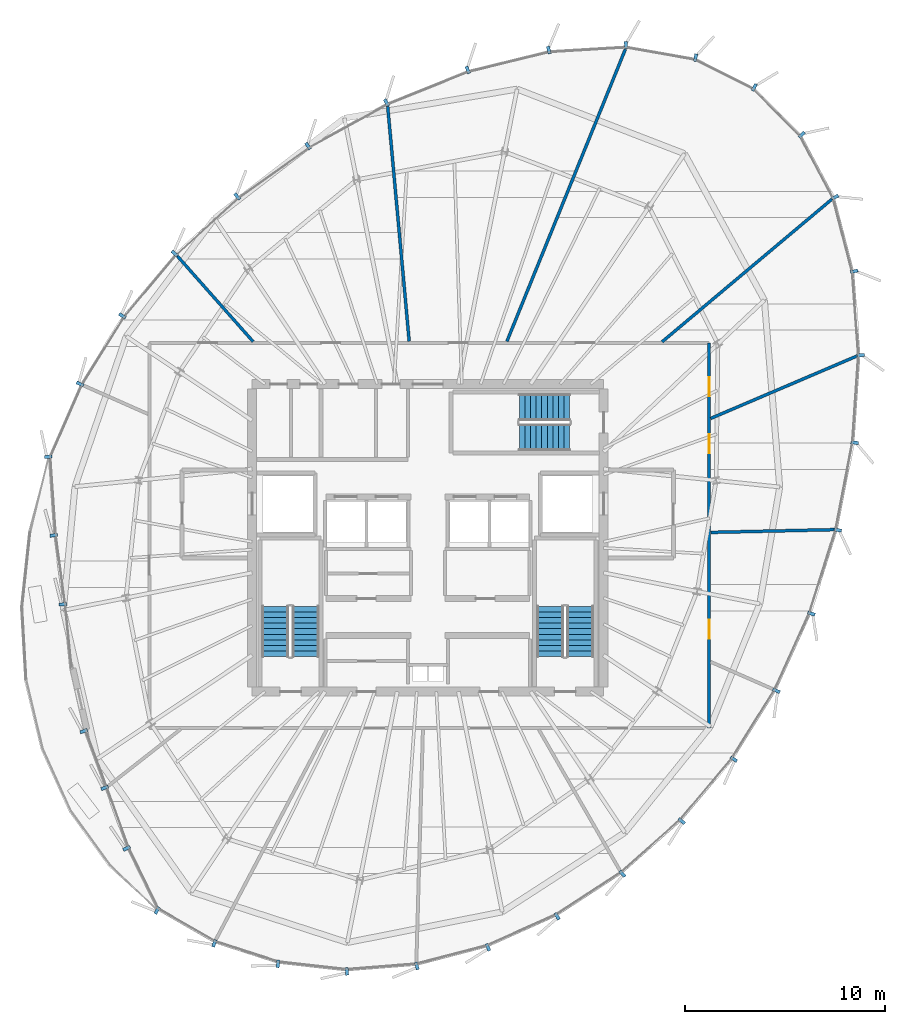
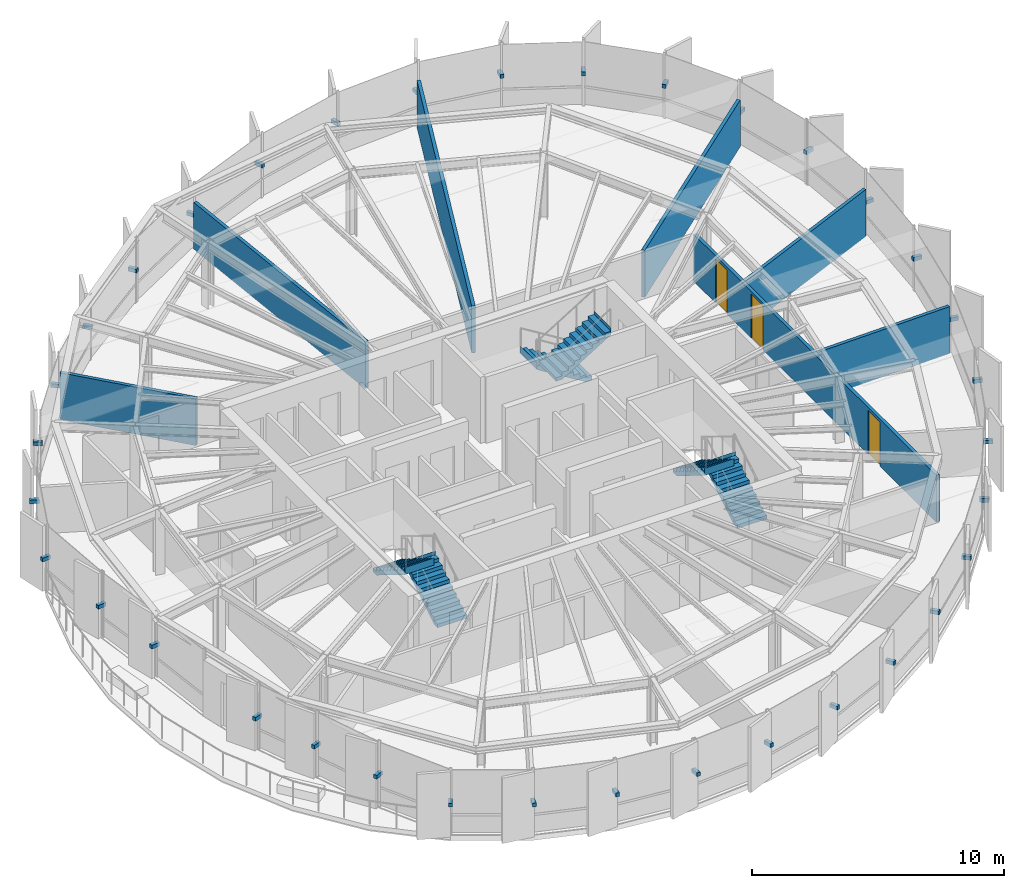
# One storey, part 28 of 32: 35 discrete accessories, 7 walls, 6 stair flights, 3 doors, 3 openings, 3 elements without a shape of their own.
"""IFC4 building model written with IfcOpenShell, lengths in metres."""

from ifc_helpers import new_model, si_unit, direction, frame, frame_2d, origin, origin_2d, place, context, subcontext, project, spatial, polyline, rectangle, outline, extrude, source, transform, mapped, material, layer, layer_set, type_object, element, fill, aggregate, save


model = new_model("IFC4")

# Units and contexts
model_context = context("Model", 3, precision=1e-05, world=origin(), true_north=direction((0.0, 1.0)))
body_context = subcontext(model_context, "Body", "Model", "MODEL_VIEW")
ifc_project = project(units=[si_unit("LENGTHUNIT", "METRE"), si_unit("AREAUNIT", "SQUARE_METRE"), si_unit("VOLUMEUNIT", "CUBIC_METRE"), si_unit("PLANEANGLEUNIT", "RADIAN"), si_unit("MASSUNIT", "GRAM", prefix="KILO"), si_unit("THERMODYNAMICTEMPERATUREUNIT", "KELVIN")], contexts=[model_context])

# Site, building, storey
site_placement = place(None, origin())
site = spatial("IfcSite", under=ifc_project, at=site_placement, CompositionType="ELEMENT")
building_placement = place(site_placement, origin())
building = spatial("IfcBuilding", under=site, at=building_placement, Name="Kethvar Cultural Tower", CompositionType="ELEMENT")
storey_placement = place(building_placement, frame((0.0, 0.0, 252.550048828125)))
storey = spatial("IfcBuildingStorey", under=building, at=storey_placement, Name="L66", CompositionType="ELEMENT", Elevation=252.550048828125)

# Wall, openings, doors
ifc_material_1 = material(Name="Gypsum Fireboard Partition")
ifc_layer_1 = layer(ifc_material_1, 0.14990234375, Name="Gypsum Fireboard Partition")
ifc_layer_set_1 = layer_set([ifc_layer_1], Name="Gypsum Fireboard Partition (150 mm)")
wall_type_1 = type_object("IfcWallType", Name="WL-FIRE-150", PredefinedType="PARTITIONING", material=ifc_layer_set_1)
wall_1_placement = place(storey_placement, frame((60.887939453125, 18.26904296875, 0.0), z_axis=(0.0, 0.0, 1.0), x_axis=(0.0, 1.0, 0.0)))
wall_1 = element("IfcWall", 1, at=wall_1_placement, inside=storey, type_object=wall_type_1, Name="L66 Corridor Rated Wall E", PredefinedType="PARTITIONING", context=body_context, shape_type="SweptSolid", body=[
    extrude(rectangle(XDim=19.29296875, YDim=0.14990234375, at=frame_2d((9.646484375, 0.0))), origin(), (0.0, 0.0, 1.0), 2.280029296875),
])
opening_1_placement = place(wall_1_placement, frame((4.48779296875, 0.0, 0.0)))
opening_1 = element("IfcOpeningElement", 2, at=opening_1_placement, cuts=wall_1, Name="Opening D-L66-05", PredefinedType="OPENING", context=body_context, shape_type="SweptSolid", body=[
    extrude(rectangle(XDim=0.949951171875, YDim=2.14990234375, at=frame_2d((0.47509765625, 1.074951171875))), frame((0.0, 0.0849609375, 0.0), z_axis=(0.0, -1.0, 0.0), x_axis=(1.0, 0.0, 0.0)), (0.0, 0.0, 1.0), 0.169921875),
])
opening_2_placement = place(wall_1_placement, frame((13.775634765625, 0.0, 0.0)))
opening_2 = element("IfcOpeningElement", 3, at=opening_2_placement, cuts=wall_1, Name="Opening D-L66-06", PredefinedType="OPENING", context=body_context, shape_type="SweptSolid", body=[
    extrude(rectangle(XDim=0.949951171875, YDim=2.14990234375, at=frame_2d((0.47509765625, 1.074951171875))), frame((0.0, 0.0849609375, 0.0), z_axis=(0.0, -1.0, 0.0), x_axis=(1.0, 0.0, 0.0)), (0.0, 0.0, 1.0), 0.169921875),
])
opening_3_placement = place(wall_1_placement, frame((16.6201171875, 0.0, 0.0)))
opening_3 = element("IfcOpeningElement", 4, at=opening_3_placement, cuts=wall_1, Name="Opening D-L66-07", PredefinedType="OPENING", context=body_context, shape_type="SweptSolid", body=[
    extrude(rectangle(XDim=0.949951171875, YDim=2.14990234375, at=frame_2d((0.47509765625, 1.074951171875))), frame((0.0, 0.0849609375, 0.0), z_axis=(0.0, -1.0, 0.0), x_axis=(1.0, 0.0, 0.0)), (0.0, 0.0, 1.0), 0.169921875),
])
ifc_material_2 = material(Name="Architectural Oak Timber", Category="wood")
door_type = type_object("IfcDoorType", Name="DR-FD30-950", OperationType="NOTDEFINED", PredefinedType="DOOR", material=ifc_material_2)
shared_shape_1 = source(origin(), body_context, "Body", "SweptSolid", [
    extrude(rectangle(XDim=0.949951171875, YDim=2.14990234375, at=frame_2d((0.47509765625, 1.074951171875))), frame((0.0, 0.02490234375, 0.0), z_axis=(0.0, -1.0, 0.0), x_axis=(1.0, 0.0, 0.0)), (0.0, 0.0, 1.0), 0.050048828125),
])
door_1_placement = place(opening_1_placement, origin())
door_1 = element("IfcDoor", 5, at=door_1_placement, inside=storey, type_object=door_type, Name="L66 Members' Dining Lounge 05 Door", OperationType="SINGLE_SWING_LEFT", OverallHeight=2.14990234375, OverallWidth=0.949951171875, PredefinedType="DOOR", context=body_context, shape_type="MappedRepresentation", body=[
    mapped(shared_shape_1, transform((0.0, 0.0, 0.0), scale=1.0)),
])
fill(opening_1, door_1)
door_2_placement = place(opening_2_placement, origin())
door_2 = element("IfcDoor", 6, at=door_2_placement, inside=storey, type_object=door_type, Name="L66 Archival Mail Room 06 Door", OperationType="SINGLE_SWING_RIGHT", OverallHeight=2.14990234375, OverallWidth=0.949951171875, PredefinedType="DOOR", context=body_context, shape_type="MappedRepresentation", body=[
    mapped(shared_shape_1, transform((0.0, 0.0, 0.0), scale=1.0)),
])
fill(opening_2, door_2)
door_3_placement = place(opening_3_placement, origin())
door_3 = element("IfcDoor", 7, at=door_3_placement, inside=storey, type_object=door_type, Name="L66 Rare Folio Storage 07 Door", OperationType="SINGLE_SWING_LEFT", OverallHeight=2.14990234375, OverallWidth=0.949951171875, PredefinedType="DOOR", context=body_context, shape_type="MappedRepresentation", body=[
    mapped(shared_shape_1, transform((0.0, 0.0, 0.0), scale=1.0)),
])
fill(opening_3, door_3)

# Walls
ifc_material_3 = material(Name="Gypsum Acoustic Partition")
ifc_layer_2 = layer(ifc_material_3, 0.14990234375, Name="Gypsum Acoustic Partition")
ifc_layer_set_2 = layer_set([ifc_layer_2], Name="Gypsum Acoustic Partition (150 mm)")
wall_type_2 = type_object("IfcWallType", Name="WL-PART-150", PredefinedType="PARTITIONING", material=ifc_layer_set_2)
wall_2_placement = place(storey_placement, frame((60.968017578125, 28.07080078125, 0.0), z_axis=(0.0, 0.0, 1.0), x_axis=(0.999750334273, 0.022344330831, 0.0)))
element("IfcWall", 8, at=wall_2_placement, inside=storey, type_object=wall_type_2, Name="L66 Radial Partition Wall 06", PredefinedType="PARTITIONING", context=body_context, shape_type="SweptSolid", body=[
    extrude(rectangle(XDim=6.162353515625, YDim=0.14990234375, at=frame_2d((3.0810546875, 0.0))), origin(), (0.0, 0.0, 1.0), 2.280029296875),
])
wall_3_placement = place(storey_placement, frame((60.961669921875, 33.77783203125, 0.0), z_axis=(0.0, 0.0, 1.0), x_axis=(0.919763098903, 0.392474001554, 0.0)))
element("IfcWall", 9, at=wall_3_placement, inside=storey, type_object=wall_type_2, Name="L66 Radial Partition Wall 07", PredefinedType="PARTITIONING", context=body_context, shape_type="SweptSolid", body=[
    extrude(rectangle(XDim=7.95361328125, YDim=0.14990234375, at=frame_2d((3.976806640625, 0.0))), origin(), (0.0, 0.0, 1.0), 2.280029296875),
])
wall_4_placement = place(storey_placement, frame((58.528076171875, 37.61328125, 0.0), z_axis=(0.0, 0.0, 1.0), x_axis=(0.765760359394, 0.643126015631, 0.0)))
element("IfcWall", 10, at=wall_4_placement, inside=storey, type_object=wall_type_2, Name="L66 Radial Partition Wall 08", PredefinedType="PARTITIONING", context=body_context, shape_type="SweptSolid", body=[
    extrude(rectangle(XDim=11.0927734375, YDim=0.14990234375, at=frame_2d((5.54638671875, 0.0))), origin(), (0.0, 0.0, 1.0), 2.280029296875),
])
wall_5_placement = place(storey_placement, frame((50.75830078125, 37.635986328125, 0.0), z_axis=(0.0, 0.0, 1.0), x_axis=(0.375803805358, 0.926699249961, 0.0)))
element("IfcWall", 11, at=wall_5_placement, inside=storey, type_object=wall_type_2, Name="L66 Radial Partition Wall 09", PredefinedType="PARTITIONING", context=body_context, shape_type="SweptSolid", body=[
    extrude(rectangle(XDim=15.789794921875, YDim=0.14990234375, at=frame_2d((7.89501953125, 0.0))), origin(), (0.0, 0.0, 1.0), 2.280029296875),
])
wall_6_placement = place(storey_placement, frame((45.8662109375, 37.6416015625, 0.0), z_axis=(0.0, 0.0, 1.0), x_axis=(-0.091193290442, 0.995833210823, 0.0)))
element("IfcWall", 12, at=wall_6_placement, inside=storey, type_object=wall_type_2, Name="L66 Radial Partition Wall 10", PredefinedType="PARTITIONING", context=body_context, shape_type="SweptSolid", body=[
    extrude(rectangle(XDim=11.817138671875, YDim=0.14990234375, at=frame_2d((5.90869140625, 0.0))), origin(), (0.0, 0.0, 1.0), 2.280029296875),
])
wall_7_placement = place(storey_placement, frame((38.05419921875, 37.621826171875, 0.0), z_axis=(0.0, 0.0, 1.0), x_axis=(-0.663185102797, 0.748455422472, 0.0)))
element("IfcWall", 13, at=wall_7_placement, inside=storey, type_object=wall_type_2, Name="L66 Radial Partition Wall 11", PredefinedType="PARTITIONING", context=body_context, shape_type="SweptSolid", body=[
    extrude(rectangle(XDim=5.7119140625, YDim=0.14990234375, at=frame_2d((2.85595703125, 0.0))), origin(), (0.0, 0.0, 1.0), 2.280029296875),
])

# Stair, stair flights
ifc_material_4 = material(Name="Concrete C40/50", Category="concrete")
stair_type = type_object("IfcStairType", Name="ST-DOGLEG-135", PredefinedType="HALF_TURN_STAIR", material=ifc_material_4)
stair_1_placement = place(storey_placement, origin())
stair_1 = element("IfcStair", 14, at=stair_1_placement, inside=storey, type_object=stair_type, Name="L66 Core Exit Stair 1", PredefinedType="HALF_TURN_STAIR")
stair_flight_type = type_object("IfcStairFlightType", Name="FL-STRAIGHT-135", PredefinedType="STRAIGHT", material=ifc_material_4)
stair_flight_1_placement = place(storey_placement, frame((40.675048828125, 21.85009765625, 0.0), z_axis=(0.0, 0.0, 1.0), x_axis=(0.0, 1.0, 0.0)))
stair_flight_1 = element("IfcStairFlight", 15, at=stair_flight_1_placement, type_object=stair_flight_type, Name="ST-01 flight 1", NumberOfRisers=10, NumberOfTreads=9, PredefinedType="STRAIGHT", RiserHeight=0.1725, TreadLength=0.28, context=body_context, shape_type="SweptSolid", body=[
    extrude(outline(polyline([(-0.0009765625, -0.0009765625), (-0.0009765625, 0.172607421875), (0.280029296875, 0.172607421875), (0.280029296875, 0.344970703125), (0.56005859375, 0.344970703125), (0.56005859375, 0.517578125), (0.840087890625, 0.517578125), (0.840087890625, 0.68994140625), (1.1201171875, 0.68994140625), (1.1201171875, 0.862548828125), (1.39990234375, 0.862548828125), (1.39990234375, 1.034912109375), (1.679931640625, 1.034912109375), (1.679931640625, 1.20751953125), (1.9599609375, 1.20751953125), (1.9599609375, 1.3798828125), (2.239990234375, 1.3798828125), (2.239990234375, 1.552490234375), (2.52001953125, 1.552490234375), (2.52001953125, 1.72509765625), (2.52099609375, 1.72509765625), (2.52099609375, 1.37646484375), (0.285888671875, 0.0), (0.0, -0.0009765625), (-0.0009765625, -0.0009765625)])), frame((0.0, 0.675048828125, 0.0), z_axis=(0.0, -1.0, 0.0), x_axis=(1.0, 0.0, 0.0)), (0.0, 0.0, 1.0), 1.35009765625),
])
stair_flight_2_placement = place(storey_placement, frame((39.1650390625, 24.3701171875, 1.724853515625), z_axis=(0.0, 0.0, 1.0), x_axis=(0.0, -1.0, 0.0)))
stair_flight_2 = element("IfcStairFlight", 16, at=stair_flight_2_placement, type_object=stair_flight_type, Name="ST-01 flight 2", NumberOfRisers=10, NumberOfTreads=9, PredefinedType="STRAIGHT", RiserHeight=0.1725, TreadLength=0.28, context=body_context, shape_type="SweptSolid", body=[
    extrude(outline(polyline([(-0.0009765625, -0.0009765625), (-0.0009765625, 0.172607421875), (0.280029296875, 0.172607421875), (0.280029296875, 0.344970703125), (0.56005859375, 0.344970703125), (0.56005859375, 0.517578125), (0.840087890625, 0.517578125), (0.840087890625, 0.68994140625), (1.1201171875, 0.68994140625), (1.1201171875, 0.862548828125), (1.39990234375, 0.862548828125), (1.39990234375, 1.034912109375), (1.679931640625, 1.034912109375), (1.679931640625, 1.20751953125), (1.9599609375, 1.20751953125), (1.9599609375, 1.3798828125), (2.239990234375, 1.3798828125), (2.239990234375, 1.552490234375), (2.52001953125, 1.552490234375), (2.52001953125, 1.72509765625), (2.52099609375, 1.72509765625), (2.52099609375, 1.37646484375), (0.285888671875, 0.0), (0.0, -0.0009765625), (-0.0009765625, -0.0009765625)])), frame((0.0, 0.675048828125, 0.0), z_axis=(0.0, -1.0, 0.0), x_axis=(1.0, 0.0, 0.0)), (0.0, 0.0, 1.0), 1.35009765625),
])
aggregate(stair_1, [stair_flight_1, stair_flight_2])

stair_2_placement = place(storey_placement, origin())
stair_2 = element("IfcStair", 17, at=stair_2_placement, inside=storey, type_object=stair_type, Name="L66 Core Exit Stair 2", PredefinedType="HALF_TURN_STAIR")
stair_flight_3_placement = place(storey_placement, frame((54.43505859375, 21.85009765625, 0.0), z_axis=(0.0, 0.0, 1.0), x_axis=(0.0, 1.0, 0.0)))
stair_flight_3 = element("IfcStairFlight", 18, at=stair_flight_3_placement, type_object=stair_flight_type, Name="ST-02 flight 1", NumberOfRisers=10, NumberOfTreads=9, PredefinedType="STRAIGHT", RiserHeight=0.1725, TreadLength=0.28, context=body_context, shape_type="SweptSolid", body=[
    extrude(outline(polyline([(-0.0009765625, -0.0009765625), (-0.0009765625, 0.172607421875), (0.280029296875, 0.172607421875), (0.280029296875, 0.344970703125), (0.56005859375, 0.344970703125), (0.56005859375, 0.517578125), (0.840087890625, 0.517578125), (0.840087890625, 0.68994140625), (1.1201171875, 0.68994140625), (1.1201171875, 0.862548828125), (1.39990234375, 0.862548828125), (1.39990234375, 1.034912109375), (1.679931640625, 1.034912109375), (1.679931640625, 1.20751953125), (1.9599609375, 1.20751953125), (1.9599609375, 1.3798828125), (2.239990234375, 1.3798828125), (2.239990234375, 1.552490234375), (2.52001953125, 1.552490234375), (2.52001953125, 1.72509765625), (2.52099609375, 1.72509765625), (2.52099609375, 1.37646484375), (0.285888671875, 0.0), (0.0, -0.0009765625), (-0.0009765625, -0.0009765625)])), frame((0.0, 0.675048828125, 0.0), z_axis=(0.0, -1.0, 0.0), x_axis=(1.0, 0.0, 0.0)), (0.0, 0.0, 1.0), 1.35009765625),
])
stair_flight_4_placement = place(storey_placement, frame((52.925048828125, 24.3701171875, 1.724853515625), z_axis=(0.0, 0.0, 1.0), x_axis=(0.0, -1.0, 0.0)))
stair_flight_4 = element("IfcStairFlight", 19, at=stair_flight_4_placement, type_object=stair_flight_type, Name="ST-02 flight 2", NumberOfRisers=10, NumberOfTreads=9, PredefinedType="STRAIGHT", RiserHeight=0.1725, TreadLength=0.28, context=body_context, shape_type="SweptSolid", body=[
    extrude(outline(polyline([(-0.0009765625, -0.0009765625), (-0.0009765625, 0.172607421875), (0.280029296875, 0.172607421875), (0.280029296875, 0.344970703125), (0.56005859375, 0.344970703125), (0.56005859375, 0.517578125), (0.840087890625, 0.517578125), (0.840087890625, 0.68994140625), (1.1201171875, 0.68994140625), (1.1201171875, 0.862548828125), (1.39990234375, 0.862548828125), (1.39990234375, 1.034912109375), (1.679931640625, 1.034912109375), (1.679931640625, 1.20751953125), (1.9599609375, 1.20751953125), (1.9599609375, 1.3798828125), (2.239990234375, 1.3798828125), (2.239990234375, 1.552490234375), (2.52001953125, 1.552490234375), (2.52001953125, 1.72509765625), (2.52099609375, 1.72509765625), (2.52099609375, 1.37646484375), (0.285888671875, 0.0), (0.0, -0.0009765625), (-0.0009765625, -0.0009765625)])), frame((0.0, 0.675048828125, 0.0), z_axis=(0.0, -1.0, 0.0), x_axis=(1.0, 0.0, 0.0)), (0.0, 0.0, 1.0), 1.35009765625),
])
aggregate(stair_2, [stair_flight_3, stair_flight_4])

stair_3_placement = place(storey_placement, origin())
stair_3 = element("IfcStair", 20, at=stair_3_placement, inside=storey, type_object=stair_type, Name="L66 Core Exit Stair 3", PredefinedType="HALF_TURN_STAIR")
stair_flight_5_placement = place(storey_placement, frame((53.89990234375, 34.3349609375, 0.0), z_axis=(0.0, 0.0, 1.0), x_axis=(-1.0, 0.0, 0.0)))
stair_flight_5 = element("IfcStairFlight", 21, at=stair_flight_5_placement, type_object=stair_flight_type, Name="ST-03 flight 1", NumberOfRisers=10, NumberOfTreads=9, PredefinedType="STRAIGHT", RiserHeight=0.1725, TreadLength=0.28, context=body_context, shape_type="SweptSolid", body=[
    extrude(outline(polyline([(-0.0009765625, -0.0009765625), (-0.0009765625, 0.172607421875), (0.280029296875, 0.172607421875), (0.280029296875, 0.344970703125), (0.56005859375, 0.344970703125), (0.56005859375, 0.517578125), (0.840087890625, 0.517578125), (0.840087890625, 0.68994140625), (1.1201171875, 0.68994140625), (1.1201171875, 0.862548828125), (1.39990234375, 0.862548828125), (1.39990234375, 1.034912109375), (1.679931640625, 1.034912109375), (1.679931640625, 1.20751953125), (1.9599609375, 1.20751953125), (1.9599609375, 1.3798828125), (2.239990234375, 1.3798828125), (2.239990234375, 1.552490234375), (2.52001953125, 1.552490234375), (2.52001953125, 1.72509765625), (2.52099609375, 1.72509765625), (2.52099609375, 1.37646484375), (0.285888671875, 0.0), (0.0, -0.0009765625), (-0.0009765625, -0.0009765625)])), frame((0.0, 0.675048828125, 0.0), z_axis=(0.0, -1.0, 0.0), x_axis=(1.0, 0.0, 0.0)), (0.0, 0.0, 1.0), 1.35009765625),
])
stair_flight_6_placement = place(storey_placement, frame((51.3798828125, 32.824951171875, 1.724853515625), z_axis=(0.0, 0.0, 1.0), x_axis=(1.0, 0.0, 0.0)))
stair_flight_6 = element("IfcStairFlight", 22, at=stair_flight_6_placement, type_object=stair_flight_type, Name="ST-03 flight 2", NumberOfRisers=10, NumberOfTreads=9, PredefinedType="STRAIGHT", RiserHeight=0.1725, TreadLength=0.28, context=body_context, shape_type="SweptSolid", body=[
    extrude(outline(polyline([(-0.0009765625, -0.0009765625), (-0.0009765625, 0.172607421875), (0.280029296875, 0.172607421875), (0.280029296875, 0.344970703125), (0.56005859375, 0.344970703125), (0.56005859375, 0.517578125), (0.840087890625, 0.517578125), (0.840087890625, 0.68994140625), (1.1201171875, 0.68994140625), (1.1201171875, 0.862548828125), (1.39990234375, 0.862548828125), (1.39990234375, 1.034912109375), (1.679931640625, 1.034912109375), (1.679931640625, 1.20751953125), (1.9599609375, 1.20751953125), (1.9599609375, 1.3798828125), (2.239990234375, 1.3798828125), (2.239990234375, 1.552490234375), (2.52001953125, 1.552490234375), (2.52001953125, 1.72509765625), (2.52099609375, 1.72509765625), (2.52099609375, 1.37646484375), (0.285888671875, 0.0), (0.0, -0.0009765625), (-0.0009765625, -0.0009765625)])), frame((0.0, 0.675048828125, 0.0), z_axis=(0.0, -1.0, 0.0), x_axis=(1.0, 0.0, 0.0)), (0.0, 0.0, 1.0), 1.35009765625),
])
aggregate(stair_3, [stair_flight_5, stair_flight_6])

# Discrete accessories
ifc_material_5 = material(Name="Steel S355J2", Category="steel")
discrete_accessory_type = type_object("IfcDiscreteAccessoryType", Name="Steel Fin Bracket BRK-01", PredefinedType="BRACKET", material=ifc_material_5)
shared_shape_2 = source(origin(), body_context, "Body", "SweptSolid", [
    extrude(rectangle(XDim=0.3798828125, YDim=0.159912109375, at=origin_2d()), origin(), (0.0, 0.0, 1.0), 0.179931640625),
])
for number, where, z_axis, x_axis, name in (
    (23, (63.14599609375, 50.361083984375, 1.51513671875), (0.0, 0.0, 1.0), (0.451189084442, 0.892428378124, 0.0), "L66 Terracotta Fin Bracket 1.1"),
    (24, (60.2080078125, 51.845703125, 1.51513671875), (0.0, 0.0, 1.0), (0.173820056399, 0.984777430688, 0.0), "L66 Terracotta Fin Bracket 1.2"),
    (25, (56.71923828125, 52.461669921875, 1.51513671875), (0.0, 0.0, 1.0), (-0.060177479469, 0.998187693254, 0.0), "L66 Terracotta Fin Bracket 1.3"),
    (26, (52.857666015625, 52.228515625, 1.51513671875), (0.0, 0.0, 1.0), (-0.238024940184, 0.971259042609, 0.0), "L66 Terracotta Fin Bracket 1.4"),
    (27, (48.7978515625, 51.233642578125, 1.51513671875), (0.0, 0.0, 1.0), (-0.373311635797, 0.927706000077, 0.0), "L66 Terracotta Fin Bracket 1.5"),
    (28, (44.72705078125, 49.595458984375, 1.51513671875), (0.0, 0.0, 1.0), (-0.483282383255, 0.875464527, 0.0), "L66 Terracotta Fin Bracket 1.6"),
    (29, (40.79736328125, 47.42138671875, 1.51513671875), (0.0, 0.0, 1.0), (-0.580845036828, 0.814014154172, 0.0), "L66 Terracotta Fin Bracket 2.1"),
    (30, (37.25244140625, 44.89208984375, 1.51513671875), (0.0, 0.0, 1.0), (-0.674173492543, 0.738573017346, 0.0), "L66 Terracotta Fin Bracket 2.2"),
    (31, (34.122314453125, 42.03515625, 1.51513671875), (0.0, 0.0, 1.0), (-0.765595506068, 0.64332225291, 0.0), "L66 Terracotta Fin Bracket 2.3"),
    (32, (31.50048828125, 38.914794921875, 1.51513671875), (0.0, 0.0, 1.0), (-0.848971687629, 0.528438334722, 0.0), "L66 Terracotta Fin Bracket 2.4"),
    (33, (29.378662109375, 35.505859375, 1.51513671875), (0.0, 0.0, 1.0), (-0.916292841518, 0.400508961926, 0.0), "L66 Terracotta Fin Bracket 2.5"),
    (34, (27.7861328125, 31.859375, 1.51513671875), (0.0, 0.0, 1.0), (-0.997600437918, -0.069234140891, 0.0), "L66 Terracotta Fin Bracket 2.6"),
    (35, (28.061767578125, 27.923095703125, 1.51513671875), (0.0, 0.0, 1.0), (-0.991238608249, -0.132083388496, 0.0), "L66 Terracotta Fin Bracket 3.1"),
    (36, (28.522216796875, 24.470458984375, 1.51513671875), (0.0, 0.0, 1.0), (-0.994648858722, -0.10331334785, 0.0), "L66 Terracotta Fin Bracket 3.2"),
    (37, (29.56787109375, 18.119873046875, 1.51513671875), (0.0, 0.0, 1.0), (-0.938009980858, -0.346608245445, 0.0), "L66 Terracotta Fin Bracket 4.1"),
    (38, (30.618408203125, 15.27734375, 1.51513671875), (0.0, 0.0, 1.0), (-0.939692620786, -0.342020143326, 0.0), "L66 Terracotta Fin Bracket 4.2"),
    (39, (31.71923828125, 12.253173828125, 1.51513671875), (0.0, 0.0, 1.0), (-0.898487786499, -0.438998516526, 0.0), "L66 Terracotta Fin Bracket 4.3"),
    (40, (33.2431640625, 9.138427734375, 1.51513671875), (0.0, 0.0, 1.0), (-0.498639034186, -0.866809733209, 0.0), "L66 Terracotta Fin Bracket 4.4"),
    (41, (36.10595703125, 7.491943359375, 1.51513671875), (0.0, 0.0, 1.0), (-0.3073566178, -0.951594403879, 0.0), "L66 Terracotta Fin Bracket 4.5"),
    (42, (39.2939453125, 6.46240234375, 1.51513671875), (0.0, 0.0, 1.0), (-0.110948581284, -0.993826147931, 0.0), "L66 Terracotta Fin Bracket 4.6"),
    (43, (42.74560546875, 6.084228515625, 1.51513671875), (0.0, 0.0, 1.0), (0.078459095728, -0.996917333733, 0.0), "L66 Terracotta Fin Bracket 5.1"),
    (44, (46.25, 6.3603515625, 1.51513671875), (0.0, 0.0, 1.0), (0.253082602519, -0.96744467351, 0.0), "L66 Terracotta Fin Bracket 5.2"),
    (45, (49.806640625, 7.290771484375, 1.51513671875), (0.0, 0.0, 1.0), (0.408967639299, -0.912548886365, 0.0), "L66 Terracotta Fin Bracket 5.3"),
    (46, (53.271728515625, 8.843994140625, 1.51513671875), (0.0, 0.0, 1.0), (0.545809508754, -0.837909291125, 0.0), "L66 Terracotta Fin Bracket 5.4"),
    (47, (56.540283203125, 10.973388671875, 1.51513671875), (0.0, 0.0, 1.0), (0.664056717928, -0.747682202125, 0.0), "L66 Terracotta Fin Bracket 5.5"),
    (48, (59.51318359375, 13.613525390625, 1.51513671875), (0.0, 0.0, 1.0), (0.764921400918, -0.644123629761, 0.0), "L66 Terracotta Fin Bracket 5.6"),
    (49, (62.118408203125, 16.715576171875, 1.51513671875), (0.0, 0.0, 1.0), (0.848417842899, -0.529327085883, 0.0), "L66 Terracotta Fin Bracket 6.1"),
    (50, (64.256591796875, 20.142822265625, 1.51513671875), (0.0, 0.0, 1.0), (0.91075574726, -0.41294547925, 0.0), "L66 Terracotta Fin Bracket 6.2"),
    (51, (66.006591796875, 24.002685546875, 1.51513671875), (0.0, 0.0, 1.0), (0.953716950748, -0.300705799504, 0.0), "L66 Terracotta Fin Bracket 6.3"),
    (52, (67.326904296875, 28.189697265625, 1.51513671875), (0.0, 0.0, 1.0), (0.981958712696, -0.18909544299, 0.0), "L66 Terracotta Fin Bracket 6.4"),
    (53, (68.169189453125, 32.56494140625, 1.51513671875), (0.0, 0.0, 1.0), (0.997660476238, -0.068363544026, 0.0), "L66 Terracotta Fin Bracket 6.5"),
    (54, (68.469482421875, 36.94287109375, 1.51513671875), (0.0, 0.0, 1.0), (0.997275993086, 0.073760379704, 0.0), "L66 Terracotta Fin Bracket 6.6"),
    (55, (68.15185546875, 41.146484375, 1.51513671875), (0.0, 0.0, 1.0), (0.96792877399, 0.251224776808, 0.0), "L66 Terracotta Fin Bracket 7.1"),
    (56, (67.1884765625, 44.85693359375, 1.51513671875), (0.0, 0.0, 1.0), (0.882865641166, 0.469625659061, 0.0), "L66 Terracotta Fin Bracket 7.2"),
    (57, (65.52392578125, 47.984619140625, 1.51513671875), (0.0, 0.0, 1.0), (0.709324729572, 0.704881853942, 0.0), "L66 Terracotta Fin Bracket 7.3"),
):
    element("IfcDiscreteAccessory", number, at=place(storey_placement, frame(where, z_axis=z_axis, x_axis=x_axis)), inside=storey, type_object=discrete_accessory_type, Name=name, PredefinedType="BRACKET", context=body_context, shape_type="MappedRepresentation", body=[
        mapped(shared_shape_2, transform((0.0, 0.0, 0.0), scale=1.0)),
    ])

save(model, "model.ifc")
